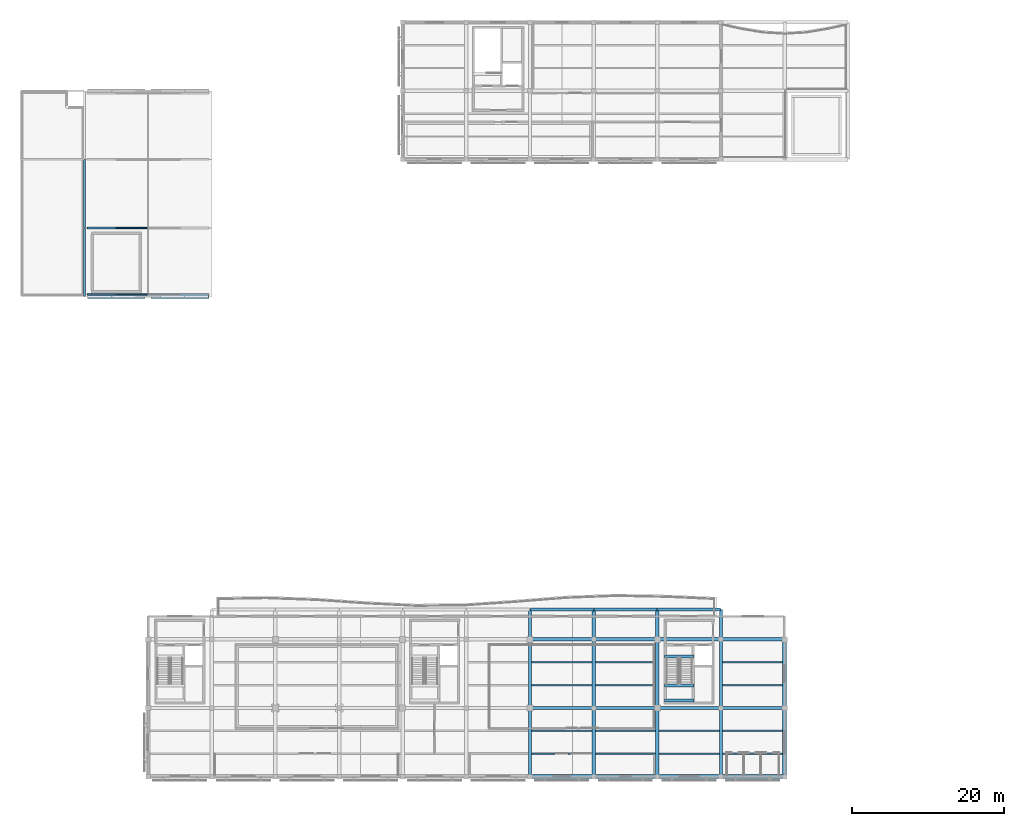
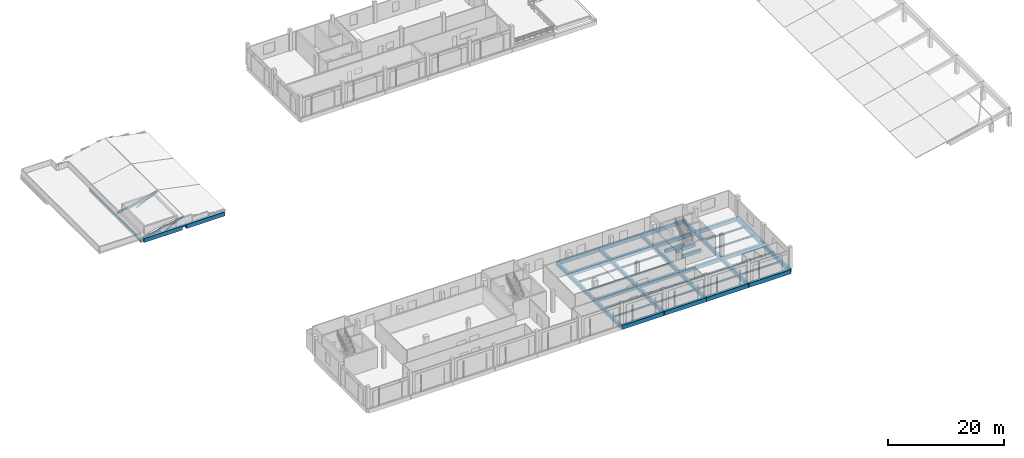
# One storey, part 2 of 28: 46 beams, 5 members.
"""IFC4 building model written with IfcOpenShell, lengths in metres."""

from ifc_helpers import new_model, si_unit, direction, frame, origin, origin_2d, place, context, subcontext, project, spatial, rectangle, hollow_rectangle, hollow_circle, i_section, extrude, material, material_profile, profile_set, type_object, element, save


model = new_model("IFC4")

# Units and contexts
model_context = context("Model", 3, precision=1e-05, world=origin(), true_north=direction((0.0, 1.0)))
body_context = subcontext(model_context, "Body", "Model", "MODEL_VIEW")
ifc_project = project(units=[si_unit("LENGTHUNIT", "METRE"), si_unit("AREAUNIT", "SQUARE_METRE"), si_unit("VOLUMEUNIT", "CUBIC_METRE"), si_unit("PLANEANGLEUNIT", "RADIAN"), si_unit("MASSUNIT", "GRAM", prefix="KILO")], contexts=[model_context])

# Site, building, storey
site_placement = place(None, origin())
site = spatial("IfcSite", under=ifc_project, at=site_placement, CompositionType="ELEMENT")
building_placement = place(site_placement, origin())
building = spatial("IfcBuilding", under=site, at=building_placement, Name="Khurvash Pelagic Aquarium", CompositionType="ELEMENT")
storey_placement = place(building_placement, frame((0.0, 0.0, 20.10009765625)))
storey = spatial("IfcBuildingStorey", under=building, at=storey_placement, Name="L04", CompositionType="ELEMENT", Elevation=20.10009765625)

# Beams
ifc_material_1 = material(Name="Concrete C35/45", Category="concrete")
ifc_material_profile_1 = material_profile(ifc_material_1, rectangle(XDim=0.449951171875, YDim=0.75, at=origin_2d()), Name="RC450X750")
ifc_profile_set_1 = profile_set([ifc_material_profile_1], Name="Concrete C35/45")
beam_type_1 = type_object("IfcBeamType", Name="BM-04", PredefinedType="BEAM", material=ifc_profile_set_1)
for number, where, z_axis, x_axis, name in (
    (1, (75.639892578125, 11.64990234375, -0.695068359375), (1.0, 0.0, 0.0), (0.0, 1.0, 0.0), "L04 Primary Girder BM-04 01060"),
    (2, (84.0400390625, 11.64990234375, -0.695068359375), (1.0, 0.0, 0.0), (0.0, 1.0, 0.0), "L04 Primary Girder BM-04 01061"),
    (3, (92.43994140625, 11.64990234375, -0.695068359375), (1.0, 0.0, 0.0), (0.0, 1.0, 0.0), "L04 Primary Girder BM-04 01062"),
):
    element("IfcBeam", number, at=place(storey_placement, frame(where, z_axis=z_axis, x_axis=x_axis)), inside=storey, type_object=beam_type_1, Name=name, PredefinedType="BEAM", context=body_context, shape_type="SweptSolid", body=[
        extrude(rectangle(XDim=0.449951171875, YDim=0.75, at=origin_2d()), origin(), (0.0, 0.0, 1.0), 8.320068359375),
    ])
beam_1_placement = place(storey_placement, frame((100.840087890625, 11.64990234375, -0.695068359375), z_axis=(1.0, 0.0, 0.0), x_axis=(0.0, 1.0, 0.0)))
element("IfcBeam", 4, at=beam_1_placement, inside=storey, type_object=beam_type_1, Name="L04 Primary Girder BM-04 01063", PredefinedType="BEAM", context=body_context, shape_type="SweptSolid", body=[
    extrude(rectangle(XDim=0.449951171875, YDim=0.75, at=origin_2d()), origin(), (0.0, 0.0, 1.0), 8.31982421875),
])
for number, where, z_axis, x_axis, name in (
    (5, (75.639892578125, 20.699951171875, -0.695068359375), (1.0, 0.0, 0.0), (0.0, 1.0, 0.0), "L04 Primary Girder BM-04 01070"),
    (6, (84.0400390625, 20.699951171875, -0.695068359375), (1.0, 0.0, 0.0), (0.0, 1.0, 0.0), "L04 Primary Girder BM-04 01071"),
    (7, (92.43994140625, 20.699951171875, -0.695068359375), (1.0, 0.0, 0.0), (0.0, 1.0, 0.0), "L04 Primary Girder BM-04 01072"),
):
    element("IfcBeam", number, at=place(storey_placement, frame(where, z_axis=z_axis, x_axis=x_axis)), inside=storey, type_object=beam_type_1, Name=name, PredefinedType="BEAM", context=body_context, shape_type="SweptSolid", body=[
        extrude(rectangle(XDim=0.449951171875, YDim=0.75, at=origin_2d()), origin(), (0.0, 0.0, 1.0), 8.320068359375),
    ])
beam_2_placement = place(storey_placement, frame((100.840087890625, 20.699951171875, -0.695068359375), z_axis=(1.0, 0.0, 0.0), x_axis=(0.0, 1.0, 0.0)))
element("IfcBeam", 8, at=beam_2_placement, inside=storey, type_object=beam_type_1, Name="L04 Primary Girder BM-04 01073", PredefinedType="BEAM", context=body_context, shape_type="SweptSolid", body=[
    extrude(rectangle(XDim=0.449951171875, YDim=0.75, at=origin_2d()), origin(), (0.0, 0.0, 1.0), 8.31982421875),
])
beam_3_placement = place(storey_placement, frame((75.60009765625, 2.639892578125, -0.675048828125), z_axis=(0.0, 1.0, 0.0), x_axis=(-1.0, 0.0, 0.0)))
element("IfcBeam", 9, at=beam_3_placement, inside=storey, type_object=beam_type_1, Name="L04 Primary Girder BM-04 01111", PredefinedType="BEAM", context=body_context, shape_type="SweptSolid", body=[
    extrude(rectangle(XDim=0.449951171875, YDim=0.75, at=origin_2d()), origin(), (0.0, 0.0, 1.0), 8.97021484375),
])
beam_4_placement = place(storey_placement, frame((75.60009765625, 11.68994140625, -0.695068359375), z_axis=(0.0, 1.0, 0.0), x_axis=(-1.0, 0.0, 0.0)))
element("IfcBeam", 10, at=beam_4_placement, inside=storey, type_object=beam_type_1, Name="L04 Primary Girder BM-04 01112", PredefinedType="BEAM", context=body_context, shape_type="SweptSolid", body=[
    extrude(rectangle(XDim=0.449951171875, YDim=0.75, at=origin_2d()), origin(), (0.0, 0.0, 1.0), 12.9599609375),
])
beam_5_placement = place(storey_placement, frame((84.0, 2.639892578125, -0.675048828125), z_axis=(0.0, 1.0, 0.0), x_axis=(-1.0, 0.0, 0.0)))
element("IfcBeam", 11, at=beam_5_placement, inside=storey, type_object=beam_type_1, Name="L04 Primary Girder BM-04 01115", PredefinedType="BEAM", context=body_context, shape_type="SweptSolid", body=[
    extrude(rectangle(XDim=0.449951171875, YDim=0.75, at=origin_2d()), origin(), (0.0, 0.0, 1.0), 8.97021484375),
])
beam_6_placement = place(storey_placement, frame((84.0, 11.68994140625, -0.695068359375), z_axis=(0.0, 1.0, 0.0), x_axis=(-1.0, 0.0, 0.0)))
element("IfcBeam", 12, at=beam_6_placement, inside=storey, type_object=beam_type_1, Name="L04 Primary Girder BM-04 01116", PredefinedType="BEAM", context=body_context, shape_type="SweptSolid", body=[
    extrude(rectangle(XDim=0.449951171875, YDim=0.75, at=origin_2d()), origin(), (0.0, 0.0, 1.0), 12.9599609375),
])
beam_7_placement = place(storey_placement, frame((92.39990234375, 2.639892578125, -0.675048828125), z_axis=(0.0, 1.0, 0.0), x_axis=(-1.0, 0.0, 0.0)))
element("IfcBeam", 13, at=beam_7_placement, inside=storey, type_object=beam_type_1, Name="L04 Primary Girder BM-04 01119", PredefinedType="BEAM", context=body_context, shape_type="SweptSolid", body=[
    extrude(rectangle(XDim=0.449951171875, YDim=0.75, at=origin_2d()), origin(), (0.0, 0.0, 1.0), 8.97021484375),
])
beam_8_placement = place(storey_placement, frame((92.39990234375, 11.68994140625, -0.695068359375), z_axis=(0.0, 1.0, 0.0), x_axis=(-1.0, 0.0, 0.0)))
element("IfcBeam", 14, at=beam_8_placement, inside=storey, type_object=beam_type_1, Name="L04 Primary Girder BM-04 01120", PredefinedType="BEAM", context=body_context, shape_type="SweptSolid", body=[
    extrude(rectangle(XDim=0.449951171875, YDim=0.75, at=origin_2d()), origin(), (0.0, 0.0, 1.0), 12.9599609375),
])
beam_9_placement = place(storey_placement, frame((100.800048828125, 2.639892578125, -0.675048828125), z_axis=(0.0, 1.0, 0.0), x_axis=(-1.0, 0.0, 0.0)))
element("IfcBeam", 15, at=beam_9_placement, inside=storey, type_object=beam_type_1, Name="L04 Primary Girder BM-04 01123", PredefinedType="BEAM", context=body_context, shape_type="SweptSolid", body=[
    extrude(rectangle(XDim=0.449951171875, YDim=0.75, at=origin_2d()), origin(), (0.0, 0.0, 1.0), 8.97021484375),
])
beam_10_placement = place(storey_placement, frame((100.800048828125, 11.68994140625, -0.695068359375), z_axis=(0.0, 1.0, 0.0), x_axis=(-1.0, 0.0, 0.0)))
element("IfcBeam", 16, at=beam_10_placement, inside=storey, type_object=beam_type_1, Name="L04 Primary Girder BM-04 01124", PredefinedType="BEAM", context=body_context, shape_type="SweptSolid", body=[
    extrude(rectangle(XDim=0.449951171875, YDim=0.75, at=origin_2d()), origin(), (0.0, 0.0, 1.0), 12.9599609375),
])
for number, where, z_axis, x_axis, name in (
    (17, (75.639892578125, 24.64990234375, -0.695068359375), (1.0, 0.0, 0.0), (0.0, 1.0, 0.0), "L04 Terrace Edge Trimmer Beam BM-04"),
    (18, (84.0400390625, 24.64990234375, -0.695068359375), (1.0, 0.0, 0.0), (0.0, 1.0, 0.0), "L04 Terrace Edge Trimmer Beam BM-04"),
    (19, (92.43994140625, 24.64990234375, -0.695068359375), (1.0, 0.0, 0.0), (0.0, 1.0, 0.0), "L04 Terrace Edge Trimmer Beam BM-04"),
):
    element("IfcBeam", number, at=place(storey_placement, frame(where, z_axis=z_axis, x_axis=x_axis)), inside=storey, type_object=beam_type_1, Name=name, PredefinedType="BEAM", context=body_context, shape_type="SweptSolid", body=[
        extrude(rectangle(XDim=0.449951171875, YDim=0.75, at=origin_2d()), origin(), (0.0, 0.0, 1.0), 8.320068359375),
    ])
ifc_material_profile_2 = material_profile(ifc_material_1, rectangle(XDim=0.39990234375, YDim=0.64990234375, at=origin_2d()), Name="RC400X650")
ifc_profile_set_2 = profile_set([ifc_material_profile_2], Name="Concrete C35/45")
beam_type_2 = type_object("IfcBeamType", Name="BM-05", PredefinedType="BEAM", material=ifc_profile_set_2)
for number, where, z_axis, x_axis, name in (
    (20, (93.3798828125, 18.429931640625, -0.625), (1.0, 0.0, 0.0), (0.0, 1.0, 0.0), "L04 Stair ST-03 Header Trimmer Beam BM-05"),
    (21, (93.3798828125, 12.669921875, 1.724853515625), (1.0, 0.0, 0.0), (0.0, 1.0, 0.0), "L04 Stair ST-03 Mid-Landing Trimmer Beam BM-05"),
    (22, (93.3798828125, 14.610107421875, 1.724853515625), (1.0, 0.0, 0.0), (0.0, 1.0, 0.0), "L04 Stair ST-03 Mid-Landing Trimmer Beam BM-05"),
):
    element("IfcBeam", number, at=place(storey_placement, frame(where, z_axis=z_axis, x_axis=x_axis)), inside=storey, type_object=beam_type_2, Name=name, PredefinedType="BEAM", context=body_context, shape_type="SweptSolid", body=[
        extrude(rectangle(XDim=0.39990234375, YDim=0.64990234375, at=origin_2d()), origin(), (0.0, 0.0, 1.0), 3.840087890625),
    ])
ifc_material_2 = material(Name="Steel ASTM A992 Grade 50", Category="steel")
ifc_material_profile_3 = material_profile(ifc_material_2, i_section(OverallWidth=0.214111328125, OverallDepth=0.549072265625, WebThickness=0.0146484375, FlangeThickness=0.023681640625, at=origin_2d()), Name="W21X93")
ifc_profile_set_3 = profile_set([ifc_material_profile_3], Name="Steel ASTM A992 Grade 50")
beam_type_3 = type_object("IfcBeamType", Name="BM-11", PredefinedType="BEAM", material=ifc_profile_set_3)
for number, where, z_axis, x_axis, name in (
    (23, (16.800048828125, 65.989990234375, -0.594482421875), (0.0, 1.0, 0.0), (-1.0, 0.0, 0.0), "L04 Roof Girder BM-11 01253"),
    (24, (16.800048828125, 75.0400390625, -0.594482421875), (0.0, 1.0, 0.0), (-1.0, 0.0, 0.0), "L04 Roof Girder BM-11 01254"),
):
    element("IfcBeam", number, at=place(storey_placement, frame(where, z_axis=z_axis, x_axis=x_axis)), inside=storey, type_object=beam_type_3, Name=name, PredefinedType="BEAM", context=body_context, shape_type="SweptSolid", body=[
        extrude(i_section(OverallWidth=0.214111328125, OverallDepth=0.549072265625, WebThickness=0.0146484375, FlangeThickness=0.023681640625, at=origin_2d()), origin(), (0.0, 0.0, 1.0), 8.969970703125),
    ])
ifc_material_3 = material(Name="Steel S355J2", Category="steel")
ifc_material_profile_4 = material_profile(ifc_material_3, i_section(OverallWidth=0.169921875, OverallDepth=0.360107421875, WebThickness=0.008056640625, FlangeThickness=0.0126953125, at=origin_2d()), Name="IPE360")
ifc_profile_set_4 = profile_set([ifc_material_profile_4], Name="Steel S355J2")
beam_type_4 = type_object("IfcBeamType", Name="JS-04", PredefinedType="JOIST", material=ifc_profile_set_4)
for number, where, z_axis, x_axis, name in (
    (25, (75.824951171875, 5.616943359375, -0.47998046875), (1.0, 0.0, 0.0), (0.0, 1.0, 0.0), "L04 Floor Joist JS-04 01159"),
    (26, (75.824951171875, 8.633056640625, -0.47998046875), (1.0, 0.0, 0.0), (0.0, 1.0, 0.0), "L04 Floor Joist JS-04 01160"),
    (27, (75.824951171875, 14.6669921875, -0.47998046875), (1.0, 0.0, 0.0), (0.0, 1.0, 0.0), "L04 Floor Joist JS-04 01161"),
    (28, (75.824951171875, 17.68310546875, -0.47998046875), (1.0, 0.0, 0.0), (0.0, 1.0, 0.0), "L04 Floor Joist JS-04 01162"),
    (29, (84.22509765625, 5.616943359375, -0.47998046875), (1.0, 0.0, 0.0), (0.0, 1.0, 0.0), "L04 Floor Joist JS-04 01167"),
    (30, (84.22509765625, 8.633056640625, -0.47998046875), (1.0, 0.0, 0.0), (0.0, 1.0, 0.0), "L04 Floor Joist JS-04 01168"),
    (31, (84.22509765625, 14.6669921875, -0.47998046875), (1.0, 0.0, 0.0), (0.0, 1.0, 0.0), "L04 Floor Joist JS-04 01169"),
    (32, (84.22509765625, 17.68310546875, -0.47998046875), (1.0, 0.0, 0.0), (0.0, 1.0, 0.0), "L04 Floor Joist JS-04 01170"),
    (33, (92.625, 5.616943359375, -0.47998046875), (1.0, 0.0, 0.0), (0.0, 1.0, 0.0), "L04 Floor Joist JS-04 01175"),
    (34, (92.625, 8.633056640625, -0.47998046875), (1.0, 0.0, 0.0), (0.0, 1.0, 0.0), "L04 Floor Joist JS-04 01176"),
):
    element("IfcBeam", number, at=place(storey_placement, frame(where, z_axis=z_axis, x_axis=x_axis)), inside=storey, type_object=beam_type_4, Name=name, PredefinedType="JOIST", context=body_context, shape_type="SweptSolid", body=[
        extrude(i_section(OverallWidth=0.169921875, OverallDepth=0.360107421875, WebThickness=0.008056640625, FlangeThickness=0.0126953125, at=origin_2d()), origin(), (0.0, 0.0, 1.0), 7.949951171875),
    ])
for number, where, z_axis, x_axis, name in (
    (35, (101.02490234375, 5.616943359375, -0.47998046875), (1.0, 0.0, 0.0), (0.0, 1.0, 0.0), "L04 Floor Joist JS-04 01181"),
    (36, (101.02490234375, 8.633056640625, -0.47998046875), (1.0, 0.0, 0.0), (0.0, 1.0, 0.0), "L04 Floor Joist JS-04 01182"),
    (37, (101.02490234375, 14.6669921875, -0.47998046875), (1.0, 0.0, 0.0), (0.0, 1.0, 0.0), "L04 Floor Joist JS-04 01183"),
    (38, (101.02490234375, 17.68310546875, -0.47998046875), (1.0, 0.0, 0.0), (0.0, 1.0, 0.0), "L04 Floor Joist JS-04 01184"),
):
    element("IfcBeam", number, at=place(storey_placement, frame(where, z_axis=z_axis, x_axis=x_axis)), inside=storey, type_object=beam_type_4, Name=name, PredefinedType="JOIST", context=body_context, shape_type="SweptSolid", body=[
        extrude(i_section(OverallWidth=0.169921875, OverallDepth=0.360107421875, WebThickness=0.008056640625, FlangeThickness=0.0126953125, at=origin_2d()), origin(), (0.0, 0.0, 1.0), 7.925048828125),
    ])
ifc_material_4 = material(Name="Concrete C40/50", Category="concrete")
ifc_material_profile_5 = material_profile(ifc_material_4, rectangle(XDim=0.5, YDim=0.85009765625, at=origin_2d()), Name="RC500X850")
ifc_profile_set_5 = profile_set([ifc_material_profile_5], Name="Concrete C40/50")
beam_type_5 = type_object("IfcBeamType", Name="SEB-03", PredefinedType="SPANDREL", material=ifc_profile_set_5)
for number, where, z_axis, x_axis, name in (
    (39, (75.639892578125, 2.60009765625, -0.7451171875), (1.0, 0.0, 0.0), (0.0, 1.0, 0.0), "L04 Primary Girder SEB-03 01050"),
    (40, (84.0400390625, 2.60009765625, -0.7451171875), (1.0, 0.0, 0.0), (0.0, 1.0, 0.0), "L04 Primary Girder SEB-03 01051"),
    (41, (92.43994140625, 2.60009765625, -0.7451171875), (1.0, 0.0, 0.0), (0.0, 1.0, 0.0), "L04 Primary Girder SEB-03 01052"),
):
    element("IfcBeam", number, at=place(storey_placement, frame(where, z_axis=z_axis, x_axis=x_axis)), inside=storey, type_object=beam_type_5, Name=name, PredefinedType="SPANDREL", context=body_context, shape_type="SweptSolid", body=[
        extrude(rectangle(XDim=0.5, YDim=0.85009765625, at=origin_2d()), origin(), (0.0, 0.0, 1.0), 8.320068359375),
    ])
beam_11_placement = place(storey_placement, frame((100.840087890625, 2.60009765625, -0.7451171875), z_axis=(1.0, 0.0, 0.0), x_axis=(0.0, 1.0, 0.0)))
element("IfcBeam", 42, at=beam_11_placement, inside=storey, type_object=beam_type_5, Name="L04 Primary Girder SEB-03 01053", PredefinedType="SPANDREL", context=body_context, shape_type="SweptSolid", body=[
    extrude(rectangle(XDim=0.5, YDim=0.85009765625, at=origin_2d()), origin(), (0.0, 0.0, 1.0), 8.31982421875),
])
beam_12_placement = place(storey_placement, frame((109.199951171875, 2.639892578125, -0.72509765625), z_axis=(0.0, 1.0, 0.0), x_axis=(-1.0, 0.0, 0.0)))
element("IfcBeam", 43, at=beam_12_placement, inside=storey, type_object=beam_type_5, Name="L04 Primary Girder SEB-03 01127", PredefinedType="SPANDREL", context=body_context, shape_type="SweptSolid", body=[
    extrude(rectangle(XDim=0.5, YDim=0.85009765625, at=origin_2d()), origin(), (0.0, 0.0, 1.0), 8.97021484375),
])
beam_13_placement = place(storey_placement, frame((109.199951171875, 11.68994140625, -0.72509765625), z_axis=(0.0, 1.0, 0.0), x_axis=(-1.0, 0.0, 0.0)))
element("IfcBeam", 44, at=beam_13_placement, inside=storey, type_object=beam_type_5, Name="L04 Primary Girder SEB-03 01128", PredefinedType="SPANDREL", context=body_context, shape_type="SweptSolid", body=[
    extrude(rectangle(XDim=0.5, YDim=0.85009765625, at=origin_2d()), origin(), (0.0, 0.0, 1.0), 8.969970703125),
])
beam_14_placement = place(storey_placement, frame((17.179931640625, 65.949951171875, -0.425048828125), z_axis=(1.0, 0.0, 0.0), x_axis=(0.0, 1.0, 0.0)))
element("IfcBeam", 45, at=beam_14_placement, inside=storey, type_object=beam_type_5, Name="L04 Education South Gable Spandrel Beam SEB-03", PredefinedType="SPANDREL", context=body_context, shape_type="SweptSolid", body=[
    extrude(rectangle(XDim=0.5, YDim=0.85009765625, at=origin_2d()), origin(), (0.0, 0.0, 1.0), 7.64013671875),
])
beam_15_placement = place(storey_placement, frame((25.580078125, 65.949951171875, -0.425048828125), z_axis=(1.0, 0.0, 0.0), x_axis=(0.0, 1.0, 0.0)))
element("IfcBeam", 46, at=beam_15_placement, inside=storey, type_object=beam_type_5, Name="L04 Education South Gable Spandrel Beam SEB-03", PredefinedType="SPANDREL", context=body_context, shape_type="SweptSolid", body=[
    extrude(rectangle(XDim=0.5, YDim=0.85009765625, at=origin_2d()), origin(), (0.0, 0.0, 1.0), 7.639892578125),
])

# Members
ifc_material_profile_6 = material_profile(ifc_material_3, hollow_rectangle(XDim=0.199951171875, YDim=0.35009765625, WallThickness=0.012451171875, at=origin_2d()), Name="RHS350X200X12")
ifc_profile_set_6 = profile_set([ifc_material_profile_6], Name="Steel S355J2")
member_type_1 = type_object("IfcMemberType", Name="TC-03", PredefinedType="CHORD", material=ifc_profile_set_6)
for number, where, z_axis, x_axis, name in (
    (47, (17.179931640625, 66.239990234375, -0.300048828125), (0.97572570839, 0.0, 0.21899621455), (0.0, 1.0, 0.0), "L04 Education Wing Truss Pitched Top Chord West"),
    (48, (17.179931640625, 75.0, -0.300048828125), (0.97572570839, 0.0, 0.21899621455), (0.0, 1.0, 0.0), "L04 Education Wing Truss Pitched Top Chord West"),
):
    element("IfcMember", number, at=place(storey_placement, frame(where, z_axis=z_axis, x_axis=x_axis)), inside=storey, type_object=member_type_1, Name=name, PredefinedType="CHORD", context=body_context, shape_type="SweptSolid", body=[
        extrude(hollow_rectangle(XDim=0.199951171875, YDim=0.35009765625, WallThickness=0.012451171875, at=origin_2d()), origin(), (0.0, 0.0, 1.0), 8.219482421875),
    ])
ifc_material_profile_7 = material_profile(ifc_material_3, i_section(OverallWidth=0.18994140625, OverallDepth=0.449951171875, WebThickness=0.009521484375, FlangeThickness=0.0146484375, at=origin_2d()), Name="IPE450")
ifc_profile_set_7 = profile_set([ifc_material_profile_7], Name="Steel S355J2")
member_type_2 = type_object("IfcMemberType", Name="TC-04", PredefinedType="CHORD", material=ifc_profile_set_7)
member_placement = place(storey_placement, frame((17.179931640625, 66.239990234375, -0.4501953125), z_axis=(1.0, 0.0, 0.0), x_axis=(0.0, 1.0, 0.0)))
element("IfcMember", 49, at=member_placement, inside=storey, type_object=member_type_2, Name="L04 Education Wing Truss Bottom Chord", PredefinedType="CHORD", context=body_context, shape_type="SweptSolid", body=[
    extrude(i_section(OverallWidth=0.18994140625, OverallDepth=0.449951171875, WebThickness=0.009521484375, FlangeThickness=0.0146484375, at=origin_2d()), origin(), (0.0, 0.0, 1.0), 16.0400390625),
])
ifc_material_profile_8 = material_profile(ifc_material_3, hollow_circle(Radius=0.136474609375, WallThickness=0.012451171875, at=origin_2d()), Name="CHS273X12")
ifc_profile_set_8 = profile_set([ifc_material_profile_8], Name="Steel S355J2")
member_type_3 = type_object("IfcMemberType", Name="TD-03", PredefinedType="BRACE", material=ifc_profile_set_8)
for number, where, z_axis, x_axis, name in (
    (50, (21.0, 66.239990234375, -0.420166015625), (0.911702594731, 0.0, 0.410850798661), (0.0, 1.0, 0.0), "L04 Education Wing Truss Web Diagonal"),
    (51, (21.0, 75.0, -0.420166015625), (0.911702594731, 0.0, 0.410850798661), (0.0, 1.0, 0.0), "L04 Education Wing Truss Web Diagonal"),
):
    element("IfcMember", number, at=place(storey_placement, frame(where, z_axis=z_axis, x_axis=x_axis)), inside=storey, type_object=member_type_3, Name=name, PredefinedType="BRACE", context=body_context, shape_type="SweptSolid", body=[
        extrude(hollow_circle(Radius=0.136474609375, WallThickness=0.012451171875, at=origin_2d()), origin(), (0.0, 0.0, 1.0), 4.5517578125),
    ])

save(model, "model.ifc")
